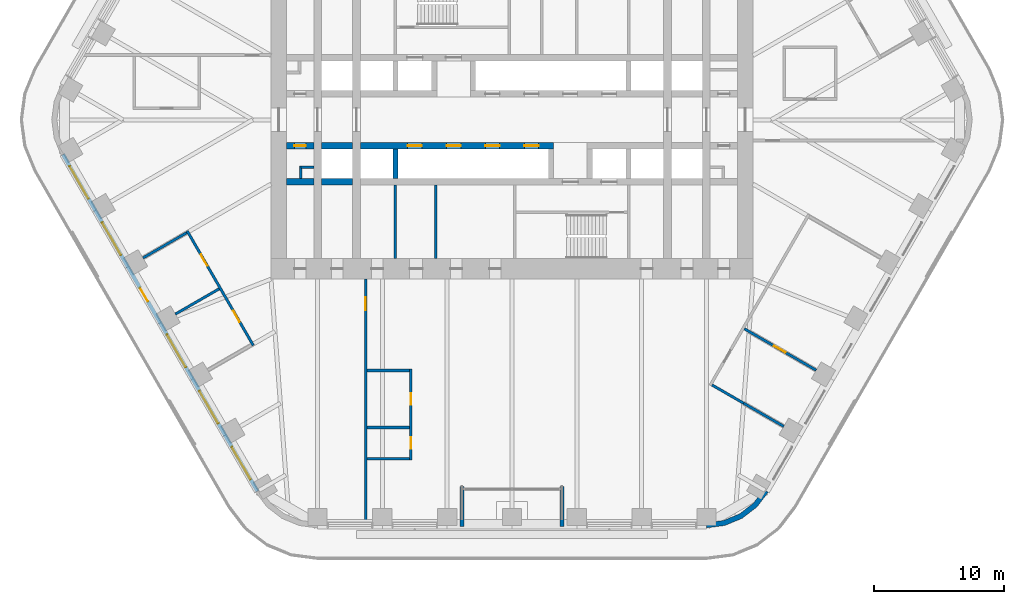
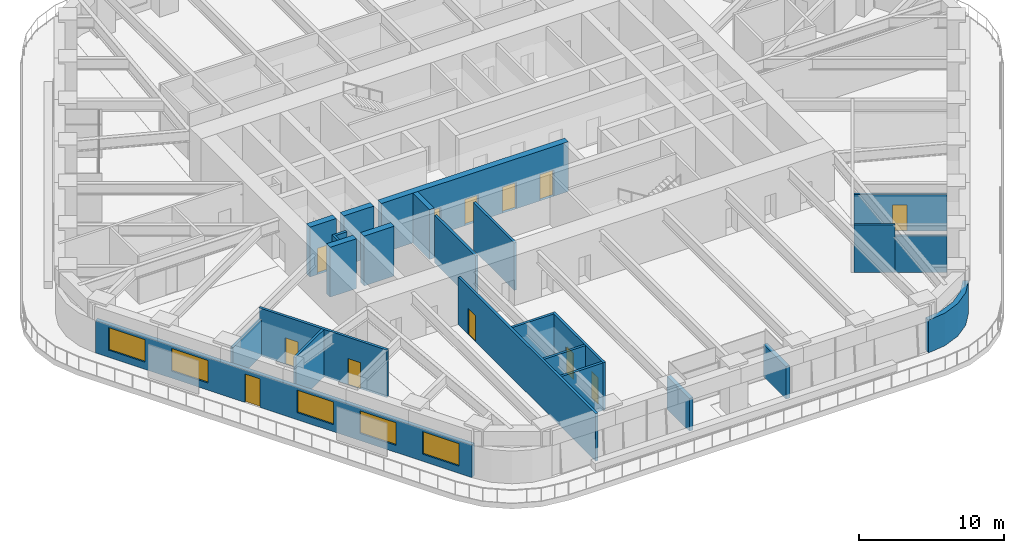
# One storey, part 17 of 24: 25 walls, 12 doors, 5 windows, 17 openings.
"""IFC4 building model written with IfcOpenShell, lengths in metres."""

from ifc_helpers import new_model, si_unit, direction, frame, frame_2d, origin, place, context, subcontext, project, spatial, polyline, rectangle, outline, extrude, material, layer, layer_set, type_object, element, fill, save


model = new_model("IFC4")

# Units and contexts
model_context = context("Model", 3, precision=1e-05, world=origin(), true_north=direction((0.0, 1.0)))
body_context = subcontext(model_context, "Body", "Model", "MODEL_VIEW")
ifc_project = project(units=[si_unit("LENGTHUNIT", "METRE"), si_unit("AREAUNIT", "SQUARE_METRE"), si_unit("VOLUMEUNIT", "CUBIC_METRE"), si_unit("PLANEANGLEUNIT", "RADIAN"), si_unit("MASSUNIT", "GRAM", prefix="KILO")], contexts=[model_context])

# Site, building, storey
site_placement = place(None, origin())
site = spatial("IfcSite", under=ifc_project, at=site_placement, CompositionType="ELEMENT")
building_placement = place(site_placement, origin())
building = spatial("IfcBuilding", under=site, at=building_placement, Name="Tarfa Lantern Tower", CompositionType="ELEMENT")
storey_placement = place(building_placement, frame((0.0, 0.0, 186.699951171875)))
storey = spatial("IfcBuildingStorey", under=building, at=storey_placement, Name="L42", CompositionType="ELEMENT", Elevation=186.699951171875)

# Wall, openings, door, windows
ifc_material_1 = material(Name="Limestone cladding on blockwork", Category="masonry")
ifc_layer_1 = layer(ifc_material_1, 0.300048828125)
ifc_layer_set_1 = layer_set([ifc_layer_1], Name="EW1 STONE-CLAD WALL 300")
wall_type_1 = type_object("IfcWallType", Name="EW1 STONE-CLAD WALL 300", PredefinedType="SOLIDWALL", material=ifc_layer_set_1)
wall_1_placement = place(storey_placement, frame((-34.655517578125, -2.675048828125, 0.0), z_axis=(0.0, 0.0, 1.0), x_axis=(0.500003084452, -0.866023622968, 0.0)))
wall_1 = element("IfcWall", 1, at=wall_1_placement, inside=storey, type_object=wall_type_1, Name="Stone wall SW", PredefinedType="SOLIDWALL", context=body_context, shape_type="SweptSolid", body=[
    extrude(rectangle(XDim=30.022216796875, YDim=0.300048828125, at=frame_2d((15.01123046875, 0.0))), origin(), (0.0, 0.0, 1.0), 2.75),
])
opening_1_placement = place(wall_1_placement, frame((1.0517578125, 0.0, 0.60009765625)))
opening_1 = element("IfcOpeningElement", 2, at=opening_1_placement, cuts=wall_1, Name="Opening W9", PredefinedType="OPENING", context=body_context, shape_type="SweptSolid", body=[
    extrude(rectangle(XDim=2.89990234375, YDim=1.89990234375, at=frame_2d((1.449951171875, 0.949951171875))), frame((0.0, 0.159912109375, 0.0), z_axis=(0.0, -1.0, 0.0), x_axis=(1.0, 0.0, 0.0)), (0.0, 0.0, 1.0), 0.320068359375),
])
opening_2_placement = place(wall_1_placement, frame((6.0556640625, 0.0, 0.60009765625)))
opening_2 = element("IfcOpeningElement", 3, at=opening_2_placement, cuts=wall_1, Name="Opening W9", PredefinedType="OPENING", context=body_context, shape_type="SweptSolid", body=[
    extrude(rectangle(XDim=2.89990234375, YDim=1.89990234375, at=frame_2d((1.449951171875, 0.949951171875))), frame((0.0, 0.159912109375, 0.0), z_axis=(0.0, -1.0, 0.0), x_axis=(1.0, 0.0, 0.0)), (0.0, 0.0, 1.0), 0.320068359375),
])
opening_3_placement = place(wall_1_placement, frame((11.9091796875, 0.0, 0.0)))
opening_3 = element("IfcOpeningElement", 4, at=opening_3_placement, cuts=wall_1, Name="Opening D52", PredefinedType="OPENING", context=body_context, shape_type="SweptSolid", body=[
    extrude(rectangle(XDim=1.199951171875, YDim=2.39990234375, at=frame_2d((0.60009765625, 1.199951171875))), frame((0.0, 0.159912109375, 0.0), z_axis=(0.0, -1.0, 0.0), x_axis=(1.0, 0.0, 0.0)), (0.0, 0.0, 1.0), 0.320068359375),
])
opening_4_placement = place(wall_1_placement, frame((16.06298828125, 0.0, 0.60009765625)))
opening_4 = element("IfcOpeningElement", 5, at=opening_4_placement, cuts=wall_1, Name="Opening W9", PredefinedType="OPENING", context=body_context, shape_type="SweptSolid", body=[
    extrude(rectangle(XDim=2.89990234375, YDim=1.89990234375, at=frame_2d((1.449951171875, 0.949951171875))), frame((0.0, 0.159912109375, 0.0), z_axis=(0.0, -1.0, 0.0), x_axis=(1.0, 0.0, 0.0)), (0.0, 0.0, 1.0), 0.320068359375),
])
opening_5_placement = place(wall_1_placement, frame((21.066650390625, 0.0, 0.60009765625)))
opening_5 = element("IfcOpeningElement", 6, at=opening_5_placement, cuts=wall_1, Name="Opening W9", PredefinedType="OPENING", context=body_context, shape_type="SweptSolid", body=[
    extrude(rectangle(XDim=2.89990234375, YDim=1.89990234375, at=frame_2d((1.449951171875, 0.949951171875))), frame((0.0, 0.159912109375, 0.0), z_axis=(0.0, -1.0, 0.0), x_axis=(1.0, 0.0, 0.0)), (0.0, 0.0, 1.0), 0.320068359375),
])
opening_6_placement = place(wall_1_placement, frame((26.0703125, 0.0, 0.60009765625)))
opening_6 = element("IfcOpeningElement", 7, at=opening_6_placement, cuts=wall_1, Name="Opening W9", PredefinedType="OPENING", context=body_context, shape_type="SweptSolid", body=[
    extrude(rectangle(XDim=2.89990234375, YDim=1.89990234375, at=frame_2d((1.449951171875, 0.949951171875))), frame((0.0, 0.159912109375, 0.0), z_axis=(0.0, -1.0, 0.0), x_axis=(1.0, 0.0, 0.0)), (0.0, 0.0, 1.0), 0.320068359375),
])
ifc_material_2 = material(Name="Aluminium framed glazed door", Category="aluminium")
door_type_1 = type_object("IfcDoorType", Name="BE3 BALCONY DOOR 1200x2400", OperationType="SINGLE_SWING_RIGHT", PredefinedType="DOOR", material=ifc_material_2)
door_1_placement = place(opening_3_placement, origin())
door_1 = element("IfcDoor", 8, at=door_1_placement, inside=storey, type_object=door_type_1, Name="Balcony door SW", OperationType="SINGLE_SWING_RIGHT", OverallHeight=2.39990234375, OverallWidth=1.199951171875, PredefinedType="DOOR", context=body_context, shape_type="SweptSolid", body=[
    extrude(rectangle(XDim=1.199951171875, YDim=2.39990234375, at=frame_2d((0.60009765625, 1.199951171875))), frame((0.0, 0.02490234375, 0.0), z_axis=(0.0, -1.0, 0.0), x_axis=(1.0, 0.0, 0.0)), (0.0, 0.0, 1.0), 0.050048828125),
])
fill(opening_3, door_1)
ifc_material_3 = material(Name="Aluminium frame, double glazed", Category="aluminium")
window_type = type_object("IfcWindowType", Name="W9 FULL-HEIGHT GLAZING 2900x1900", PartitioningType="SINGLE_PANEL", PredefinedType="WINDOW", material=ifc_material_3)
window_1_placement = place(opening_1_placement, origin())
window_1 = element("IfcWindow", 9, at=window_1_placement, inside=storey, type_object=window_type, Name="Window SW 1", OverallHeight=1.89990234375, OverallWidth=2.89990234375, PartitioningType="SINGLE_PANEL", PredefinedType="WINDOW", context=body_context, shape_type="SweptSolid", body=[
    extrude(rectangle(XDim=2.89990234375, YDim=1.89990234375, at=frame_2d((1.449951171875, 0.949951171875))), frame((0.0, 0.030029296875, 0.0), z_axis=(0.0, -1.0, 0.0), x_axis=(1.0, 0.0, 0.0)), (0.0, 0.0, 1.0), 0.06005859375),
])
fill(opening_1, window_1)
window_2_placement = place(opening_2_placement, origin())
window_2 = element("IfcWindow", 10, at=window_2_placement, inside=storey, type_object=window_type, Name="Window SW 2", OverallHeight=1.89990234375, OverallWidth=2.89990234375, PartitioningType="SINGLE_PANEL", PredefinedType="WINDOW", context=body_context, shape_type="SweptSolid", body=[
    extrude(rectangle(XDim=2.89990234375, YDim=1.89990234375, at=frame_2d((1.449951171875, 0.949951171875))), frame((0.0, 0.030029296875, 0.0), z_axis=(0.0, -1.0, 0.0), x_axis=(1.0, 0.0, 0.0)), (0.0, 0.0, 1.0), 0.06005859375),
])
fill(opening_2, window_2)
window_3_placement = place(opening_4_placement, origin())
window_3 = element("IfcWindow", 11, at=window_3_placement, inside=storey, type_object=window_type, Name="Window SW 4", OverallHeight=1.89990234375, OverallWidth=2.89990234375, PartitioningType="SINGLE_PANEL", PredefinedType="WINDOW", context=body_context, shape_type="SweptSolid", body=[
    extrude(rectangle(XDim=2.89990234375, YDim=1.89990234375, at=frame_2d((1.449951171875, 0.949951171875))), frame((0.0, 0.030029296875, 0.0), z_axis=(0.0, -1.0, 0.0), x_axis=(1.0, 0.0, 0.0)), (0.0, 0.0, 1.0), 0.06005859375),
])
fill(opening_4, window_3)
window_4_placement = place(opening_5_placement, origin())
window_4 = element("IfcWindow", 12, at=window_4_placement, inside=storey, type_object=window_type, Name="Window SW 5", OverallHeight=1.89990234375, OverallWidth=2.89990234375, PartitioningType="SINGLE_PANEL", PredefinedType="WINDOW", context=body_context, shape_type="SweptSolid", body=[
    extrude(rectangle(XDim=2.89990234375, YDim=1.89990234375, at=frame_2d((1.449951171875, 0.949951171875))), frame((0.0, 0.030029296875, 0.0), z_axis=(0.0, -1.0, 0.0), x_axis=(1.0, 0.0, 0.0)), (0.0, 0.0, 1.0), 0.06005859375),
])
fill(opening_5, window_4)
window_5_placement = place(opening_6_placement, origin())
window_5 = element("IfcWindow", 13, at=window_5_placement, inside=storey, type_object=window_type, Name="Window SW 6", OverallHeight=1.89990234375, OverallWidth=2.89990234375, PartitioningType="SINGLE_PANEL", PredefinedType="WINDOW", context=body_context, shape_type="SweptSolid", body=[
    extrude(rectangle(XDim=2.89990234375, YDim=1.89990234375, at=frame_2d((1.449951171875, 0.949951171875))), frame((0.0, 0.030029296875, 0.0), z_axis=(0.0, -1.0, 0.0), x_axis=(1.0, 0.0, 0.0)), (0.0, 0.0, 1.0), 0.06005859375),
])
fill(opening_6, window_5)

# Walls
for number, where, z_axis, x_axis, name in (
    (14, (-3.853759765625, -31.39990234375, 0.0), (0.0, 0.0, 1.0), (0.0, 1.0, 0.0), "Loggia return S 1"),
    (15, (3.853759765625, -31.39990234375, 0.0), (0.0, 0.0, 1.0), (0.0, 1.0, 0.0), "Loggia return S 2"),
):
    element("IfcWall", number, at=place(storey_placement, frame(where, z_axis=z_axis, x_axis=x_axis)), inside=storey, type_object=wall_type_1, Name=name, PredefinedType="SOLIDWALL", context=body_context, shape_type="SweptSolid", body=[
        extrude(rectangle(XDim=3.099853515625, YDim=0.300048828125, at=frame_2d((1.5498046875, 0.0))), origin(), (0.0, 0.0, 1.0), 2.75),
    ])
ifc_layer_2 = layer(ifc_material_1, 0.39990234375)
ifc_layer_set_2 = layer_set([ifc_layer_2], Name="EW2 CURVED STONE CORNER 400")
wall_type_2 = type_object("IfcWallType", Name="EW2 CURVED STONE CORNER 400", PredefinedType="SOLIDWALL", material=ifc_layer_set_2)
wall_2_placement = place(storey_placement, origin())
element("IfcWall", 16, at=wall_2_placement, inside=storey, type_object=wall_type_2, Name="Stone corner S-SE", PredefinedType="SOLIDWALL", context=body_context, shape_type="SweptSolid", body=[
    extrude(outline(polyline([(15.010986328125, -31.5), (16.4345703125, -31.3125), (17.760986328125, -30.76318359375), (18.900146484375, -29.88916015625), (19.774169921875, -28.75), (19.427734375, -28.550048828125), (18.617431640625, -29.606201171875), (17.56103515625, -30.416748046875), (16.3310546875, -30.92626953125), (15.010986328125, -31.10009765625), (15.010986328125, -31.5)])), origin(), (0.0, 0.0, 1.0), 2.75),
])
ifc_material_4 = material(Name="Concrete blockwork", Category="masonry")
ifc_layer_3 = layer(ifc_material_4, 0.199951171875)
ifc_layer_set_3 = layer_set([ifc_layer_3], Name="IW1 BLOCKWORK PARTITION 200 EI 120")
wall_type_3 = type_object("IfcWallType", Name="IW1 BLOCKWORK PARTITION 200 EI 120", PredefinedType="PARTITIONING", material=ifc_layer_set_3)
for number, where, z_axis, x_axis, name in (
    (17, (-9.0, -5.050048828125, 0.0), (0.0, 0.0, 1.0), (0.0, -1.0, 0.0), "Core partition"),
    (18, (-5.89990234375, -5.050048828125, 0.0), (0.0, 0.0, 1.0), (0.0, -1.0, 0.0), "Core partition"),
):
    element("IfcWall", number, at=place(storey_placement, frame(where, z_axis=z_axis, x_axis=x_axis)), inside=storey, type_object=wall_type_3, Name=name, PredefinedType="PARTITIONING", context=body_context, shape_type="SweptSolid", body=[
        extrude(rectangle(XDim=5.64990234375, YDim=0.199951171875, at=frame_2d((2.824951171875, 0.0))), origin(), (0.0, 0.0, 1.0), 4.0),
    ])
for number, where, z_axis, x_axis, name in (
    (19, (-15.300048828125, -3.64990234375, 0.0), (0.0, 0.0, 1.0), (-1.0, 0.0, 0.0), "Core partition"),
    (20, (-16.300048828125, -3.550048828125, 0.0), (0.0, 0.0, 1.0), (0.0, -1.0, 0.0), "Core partition"),
):
    element("IfcWall", number, at=place(storey_placement, frame(where, z_axis=z_axis, x_axis=x_axis)), inside=storey, type_object=wall_type_3, Name=name, PredefinedType="PARTITIONING", context=body_context, shape_type="SweptSolid", body=[
        extrude(rectangle(XDim=1.0, YDim=0.199951171875, at=frame_2d((0.5, 0.0))), origin(), (0.0, 0.0, 1.0), 4.0),
    ])
ifc_material_5 = material(Name="Gypsum board on steel studs", Category="steel")
ifc_layer_4 = layer(ifc_material_5, 0.2099609375)
ifc_layer_set_4 = layer_set([ifc_layer_4], Name="IW2 ACOUSTIC PARTITION 200")
wall_type_4 = type_object("IfcWallType", Name="IW2 ACOUSTIC PARTITION 200", PredefinedType="PARTITIONING", material=ifc_layer_set_4)
wall_3_placement = place(storey_placement, frame((15.4345703125, -20.466552734375, 0.0), z_axis=(0.0, 0.0, 1.0), x_axis=(0.866008320966, -0.500029587143, 0.0)))
element("IfcWall", 21, at=wall_3_placement, inside=storey, type_object=wall_type_4, Name="Partition", PredefinedType="PARTITIONING", context=body_context, shape_type="SweptSolid", body=[
    extrude(rectangle(XDim=2.821044921875, YDim=0.199951171875, at=frame_2d((1.41064453125, 0.0))), origin(), (0.0, 0.0, 1.0), 4.0),
])
wall_4_placement = place(storey_placement, frame((17.877685546875, -21.877197265625, 0.0), z_axis=(0.0, 0.0, 1.0), x_axis=(0.866009501729, -0.500027542156, 0.0)))
element("IfcWall", 22, at=wall_4_placement, inside=storey, type_object=wall_type_4, Name="Partition", PredefinedType="PARTITIONING", context=body_context, shape_type="SweptSolid", body=[
    extrude(rectangle(XDim=3.578857421875, YDim=0.199951171875, at=frame_2d((1.78955078125, 0.0))), origin(), (0.0, 0.0, 1.0), 3.08154296875),
])

# Wall, opening, door
wall_5_placement = place(storey_placement, frame((17.936279296875, -16.13330078125, 0.0), z_axis=(0.0, 0.0, 1.0), x_axis=(0.866035036182, -0.499983315828, 0.0)))
wall_5 = element("IfcWall", 23, at=wall_5_placement, inside=storey, type_object=wall_type_4, Name="Partition", PredefinedType="PARTITIONING", context=body_context, shape_type="SweptSolid", body=[
    extrude(rectangle(XDim=6.400146484375, YDim=0.199951171875, at=frame_2d((3.2001953125, 0.0))), origin(), (0.0, 0.0, 1.0), 3.08154296875),
])
opening_7_placement = place(wall_5_placement, frame((2.64990234375, 0.0, 0.0)))
opening_7 = element("IfcOpeningElement", 24, at=opening_7_placement, cuts=wall_5, Name="Opening D39", PredefinedType="OPENING", context=body_context, shape_type="SweptSolid", body=[
    extrude(rectangle(XDim=1.0, YDim=2.199951171875, at=frame_2d((0.5, 1.10009765625))), frame((0.0, 0.10986328125, 0.0), z_axis=(0.0, -1.0, 0.0), x_axis=(1.0, 0.0, 0.0)), (0.0, 0.0, 1.0), 0.219970703125),
])
ifc_material_6 = material(Name="Timber door", Category="wood")
door_type_2 = type_object("IfcDoorType", Name="DR1 ROOM DOOR 1000x2200", OperationType="SINGLE_SWING_LEFT", PredefinedType="DOOR", material=ifc_material_6)
door_2_placement = place(opening_7_placement, frame((1.0, 0.0, 0.0), z_axis=(0.0, 0.0, 1.0), x_axis=(-1.0, 0.0, 0.0)))
door_2 = element("IfcDoor", 25, at=door_2_placement, inside=storey, type_object=door_type_2, Name="Majlis door", OperationType="SINGLE_SWING_LEFT", OverallHeight=2.199951171875, OverallWidth=1.0, PredefinedType="DOOR", context=body_context, shape_type="SweptSolid", body=[
    extrude(rectangle(XDim=1.0, YDim=2.199951171875, at=frame_2d((0.5, 1.10009765625))), frame((0.0, 0.02490234375, 0.0), z_axis=(0.0, -1.0, 0.0), x_axis=(1.0, 0.0, 0.0)), (0.0, 0.0, 1.0), 0.050048828125),
])
fill(opening_7, door_2)

# Wall, openings, doors
wall_6_placement = place(storey_placement, frame((-25.068603515625, -8.580078125, 0.0), z_axis=(0.0, 0.0, 1.0), x_axis=(0.500005407604, -0.86602228168, 0.0)))
wall_6 = element("IfcWall", 26, at=wall_6_placement, inside=storey, type_object=wall_type_4, Name="Partition", PredefinedType="PARTITIONING", context=body_context, shape_type="SweptSolid", body=[
    extrude(rectangle(XDim=10.20751953125, YDim=0.199951171875, at=frame_2d((5.103759765625, 0.0))), origin(), (0.0, 0.0, 1.0), 4.0),
])
opening_8_placement = place(wall_6_placement, frame((2.101806640625, 0.0, 0.0)))
opening_8 = element("IfcOpeningElement", 27, at=opening_8_placement, cuts=wall_6, Name="Opening D40", PredefinedType="OPENING", context=body_context, shape_type="SweptSolid", body=[
    extrude(rectangle(XDim=1.0, YDim=2.199951171875, at=frame_2d((0.5, 1.10009765625))), frame((0.0, 0.10986328125, 0.0), z_axis=(0.0, -1.0, 0.0), x_axis=(1.0, 0.0, 0.0)), (0.0, 0.0, 1.0), 0.219970703125),
])
opening_9_placement = place(wall_6_placement, frame((7.10546875, 0.0, 0.0)))
opening_9 = element("IfcOpeningElement", 28, at=opening_9_placement, cuts=wall_6, Name="Opening D41", PredefinedType="OPENING", context=body_context, shape_type="SweptSolid", body=[
    extrude(rectangle(XDim=1.0, YDim=2.199951171875, at=frame_2d((0.5, 1.10009765625))), frame((0.0, 0.10986328125, 0.0), z_axis=(0.0, -1.0, 0.0), x_axis=(1.0, 0.0, 0.0)), (0.0, 0.0, 1.0), 0.219970703125),
])
door_3_placement = place(opening_8_placement, frame((1.0, 0.0, 0.0), z_axis=(0.0, 0.0, 1.0), x_axis=(-1.0, 0.0, 0.0)))
door_3 = element("IfcDoor", 29, at=door_3_placement, inside=storey, type_object=door_type_2, Name="Prayer room male door", OperationType="SINGLE_SWING_LEFT", OverallHeight=2.199951171875, OverallWidth=1.0, PredefinedType="DOOR", context=body_context, shape_type="SweptSolid", body=[
    extrude(rectangle(XDim=1.0, YDim=2.199951171875, at=frame_2d((0.5, 1.10009765625))), frame((0.0, 0.02490234375, 0.0), z_axis=(0.0, -1.0, 0.0), x_axis=(1.0, 0.0, 0.0)), (0.0, 0.0, 1.0), 0.050048828125),
])
fill(opening_8, door_3)
door_4_placement = place(opening_9_placement, frame((1.0, 0.0, 0.0), z_axis=(0.0, 0.0, 1.0), x_axis=(-1.0, 0.0, 0.0)))
door_4 = element("IfcDoor", 30, at=door_4_placement, inside=storey, type_object=door_type_2, Name="Ablution room door", OperationType="SINGLE_SWING_RIGHT", OverallHeight=2.199951171875, OverallWidth=1.0, PredefinedType="DOOR", context=body_context, shape_type="SweptSolid", body=[
    extrude(rectangle(XDim=1.0, YDim=2.199951171875, at=frame_2d((0.5, 1.10009765625))), frame((0.0, 0.02490234375, 0.0), z_axis=(0.0, -1.0, 0.0), x_axis=(1.0, 0.0, 0.0)), (0.0, 0.0, 1.0), 0.050048828125),
])
fill(opening_9, door_4)

# Walls
wall_7_placement = place(storey_placement, frame((-25.105224609375, -8.716552734375, 0.0), z_axis=(0.0, 0.0, 1.0), x_axis=(-0.866000020948, -0.500043961785, 0.0)))
element("IfcWall", 31, at=wall_7_placement, inside=storey, type_object=wall_type_4, Name="Partition", PredefinedType="PARTITIONING", context=body_context, shape_type="SweptSolid", body=[
    extrude(rectangle(XDim=3.900146484375, YDim=0.199951171875, at=frame_2d((1.9501953125, 0.0))), origin(), (0.0, 0.0, 1.0), 3.08154296875),
])
wall_8_placement = place(storey_placement, frame((-22.603271484375, -13.050048828125, 0.0), z_axis=(0.0, 0.0, 1.0), x_axis=(-0.866027128446, -0.499997012787, 0.0)))
element("IfcWall", 32, at=wall_8_placement, inside=storey, type_object=wall_type_4, Name="Partition", PredefinedType="PARTITIONING", context=body_context, shape_type="SweptSolid", body=[
    extrude(rectangle(XDim=3.89990234375, YDim=0.199951171875, at=frame_2d((1.949951171875, 0.0))), origin(), (0.0, 0.0, 1.0), 4.0),
])

# Wall, opening, door
wall_9_placement = place(storey_placement, frame((-11.300048828125, -12.300048828125, 0.0), z_axis=(0.0, 0.0, 1.0), x_axis=(0.0, -1.0, 0.0)))
wall_9 = element("IfcWall", 33, at=wall_9_placement, inside=storey, type_object=wall_type_4, Name="Partition", PredefinedType="PARTITIONING", context=body_context, shape_type="SweptSolid", body=[
    extrude(rectangle(XDim=19.0, YDim=0.199951171875, at=frame_2d((9.5, 0.0))), origin(), (0.0, 0.0, 1.0), 4.0),
])
opening_10_placement = place(wall_9_placement, frame((1.39990234375, 0.0, 0.0)))
opening_10 = element("IfcOpeningElement", 34, at=opening_10_placement, cuts=wall_9, Name="Opening D48", PredefinedType="OPENING", context=body_context, shape_type="SweptSolid", body=[
    extrude(rectangle(XDim=1.0, YDim=2.199951171875, at=frame_2d((0.5, 1.10009765625))), frame((0.0, 0.10986328125, 0.0), z_axis=(0.0, -1.0, 0.0), x_axis=(1.0, 0.0, 0.0)), (0.0, 0.0, 1.0), 0.219970703125),
])
door_5_placement = place(opening_10_placement, frame((1.0, 0.0, 0.0), z_axis=(0.0, 0.0, 1.0), x_axis=(-1.0, 0.0, 0.0)))
door_5 = element("IfcDoor", 35, at=door_5_placement, inside=storey, type_object=door_type_2, Name="Zone door", OperationType="SINGLE_SWING_LEFT", OverallHeight=2.199951171875, OverallWidth=1.0, PredefinedType="DOOR", context=body_context, shape_type="SweptSolid", body=[
    extrude(rectangle(XDim=1.0, YDim=2.199951171875, at=frame_2d((0.5, 1.10009765625))), frame((0.0, 0.02490234375, 0.0), z_axis=(0.0, -1.0, 0.0), x_axis=(1.0, 0.0, 0.0)), (0.0, 0.0, 1.0), 0.050048828125),
])
fill(opening_10, door_5)

# Wall, openings, doors
wall_10_placement = place(storey_placement, frame((-7.800048828125, -19.25, 0.0), z_axis=(0.0, 0.0, 1.0), x_axis=(0.0, -1.0, 0.0)))
wall_10 = element("IfcWall", 36, at=wall_10_placement, inside=storey, type_object=wall_type_4, Name="Partition", PredefinedType="PARTITIONING", context=body_context, shape_type="SweptSolid", body=[
    extrude(rectangle(XDim=7.0, YDim=0.199951171875, at=frame_2d((3.5, 0.0))), origin(), (0.0, 0.0, 1.0), 4.0),
])
opening_11_placement = place(wall_10_placement, frame((1.85009765625, 0.0, 0.0)))
opening_11 = element("IfcOpeningElement", 37, at=opening_11_placement, cuts=wall_10, Name="Opening D44", PredefinedType="OPENING", context=body_context, shape_type="SweptSolid", body=[
    extrude(rectangle(XDim=0.89990234375, YDim=2.199951171875, at=frame_2d((0.449951171875, 1.10009765625))), frame((0.0, 0.10986328125, 0.0), z_axis=(0.0, -1.0, 0.0), x_axis=(1.0, 0.0, 0.0)), (0.0, 0.0, 1.0), 0.219970703125),
])
opening_12_placement = place(wall_10_placement, frame((5.25, 0.0, 0.0)))
opening_12 = element("IfcOpeningElement", 38, at=opening_12_placement, cuts=wall_10, Name="Opening D45", PredefinedType="OPENING", context=body_context, shape_type="SweptSolid", body=[
    extrude(rectangle(XDim=0.89990234375, YDim=2.199951171875, at=frame_2d((0.449951171875, 1.10009765625))), frame((0.0, 0.10986328125, 0.0), z_axis=(0.0, -1.0, 0.0), x_axis=(1.0, 0.0, 0.0)), (0.0, 0.0, 1.0), 0.219970703125),
])
door_type_3 = type_object("IfcDoorType", Name="DR3 ROOM DOOR 900x2200", OperationType="SINGLE_SWING_LEFT", PredefinedType="DOOR", material=ifc_material_6)
door_6_placement = place(opening_11_placement, frame((0.89990234375, 0.0, 0.0), z_axis=(0.0, 0.0, 1.0), x_axis=(-1.0, 0.0, 0.0)))
door_6 = element("IfcDoor", 39, at=door_6_placement, inside=storey, type_object=door_type_3, Name="Project room door", OperationType="SINGLE_SWING_LEFT", OverallHeight=2.199951171875, OverallWidth=0.89990234375, PredefinedType="DOOR", context=body_context, shape_type="SweptSolid", body=[
    extrude(rectangle(XDim=0.89990234375, YDim=2.199951171875, at=frame_2d((0.449951171875, 1.10009765625))), frame((0.0, 0.02490234375, 0.0), z_axis=(0.0, -1.0, 0.0), x_axis=(1.0, 0.0, 0.0)), (0.0, 0.0, 1.0), 0.050048828125),
])
fill(opening_11, door_6)
door_7_placement = place(opening_12_placement, frame((0.89990234375, 0.0, 0.0), z_axis=(0.0, 0.0, 1.0), x_axis=(-1.0, 0.0, 0.0)))
door_7 = element("IfcDoor", 40, at=door_7_placement, inside=storey, type_object=door_type_3, Name="Print and copy room door", OperationType="SINGLE_SWING_RIGHT", OverallHeight=2.199951171875, OverallWidth=0.89990234375, PredefinedType="DOOR", context=body_context, shape_type="SweptSolid", body=[
    extrude(rectangle(XDim=0.89990234375, YDim=2.199951171875, at=frame_2d((0.449951171875, 1.10009765625))), frame((0.0, 0.02490234375, 0.0), z_axis=(0.0, -1.0, 0.0), x_axis=(1.0, 0.0, 0.0)), (0.0, 0.0, 1.0), 0.050048828125),
])
fill(opening_12, door_7)

# Walls
for number, where, z_axis, x_axis, name in (
    (41, (-11.199951171875, -19.35009765625, 0.0), (0.0, 0.0, 1.0), (1.0, 0.0, 0.0), "Partition"),
    (42, (-11.199951171875, -23.75, 0.0), (0.0, 0.0, 1.0), (1.0, 0.0, 0.0), "Partition"),
    (43, (-11.199951171875, -26.14990234375, 0.0), (0.0, 0.0, 1.0), (1.0, 0.0, 0.0), "Partition"),
):
    element("IfcWall", number, at=place(storey_placement, frame(where, z_axis=z_axis, x_axis=x_axis)), inside=storey, type_object=wall_type_4, Name=name, PredefinedType="PARTITIONING", context=body_context, shape_type="SweptSolid", body=[
        extrude(rectangle(XDim=3.300048828125, YDim=0.199951171875, at=frame_2d((1.64990234375, 0.0))), origin(), (0.0, 0.0, 1.0), 4.0),
    ])

# Wall, openings, doors
ifc_material_7 = material(Name="Concrete C80/95", Category="concrete")
ifc_layer_5 = layer(ifc_material_7, 0.5)
ifc_layer_set_5 = layer_set([ifc_layer_5], Name="SW5 CORE WALL 500")
wall_type_5 = type_object("IfcWallType", Name="SW5 CORE WALL 500", PredefinedType="SHEAR", material=ifc_layer_set_5)
wall_11_placement = place(storey_placement, frame((3.199951171875, -2.0, 0.0), z_axis=(0.0, 0.0, 1.0), x_axis=(-1.0, 0.0, 0.0)))
wall_11 = element("IfcWall", 44, at=wall_11_placement, inside=storey, type_object=wall_type_5, Name="Core wall lobby east S", PredefinedType="SHEAR", context=body_context, shape_type="SweptSolid", body=[
    extrude(rectangle(XDim=14.89990234375, YDim=0.5, at=frame_2d((7.449951171875, 0.0))), origin(), (0.0, 0.0, 1.0), 4.199951171875),
])
opening_13_placement = place(wall_11_placement, frame((1.14990234375, 0.0, 0.0)))
opening_13 = element("IfcOpeningElement", 45, at=opening_13_placement, cuts=wall_11, Name="Opening LD07", PredefinedType="OPENING", context=body_context, shape_type="SweptSolid", body=[
    extrude(rectangle(XDim=1.10009765625, YDim=2.199951171875, at=frame_2d((0.550048828125, 1.10009765625))), frame((0.0, 0.260009765625, 0.0), z_axis=(0.0, -1.0, 0.0), x_axis=(1.0, 0.0, 0.0)), (0.0, 0.0, 1.0), 0.52001953125),
])
opening_14_placement = place(wall_11_placement, frame((4.14990234375, 0.0, 0.0)))
opening_14 = element("IfcOpeningElement", 46, at=opening_14_placement, cuts=wall_11, Name="Opening LD08", PredefinedType="OPENING", context=body_context, shape_type="SweptSolid", body=[
    extrude(rectangle(XDim=1.10009765625, YDim=2.199951171875, at=frame_2d((0.550048828125, 1.10009765625))), frame((0.0, 0.260009765625, 0.0), z_axis=(0.0, -1.0, 0.0), x_axis=(1.0, 0.0, 0.0)), (0.0, 0.0, 1.0), 0.52001953125),
])
opening_15_placement = place(wall_11_placement, frame((7.14990234375, 0.0, 0.0)))
opening_15 = element("IfcOpeningElement", 47, at=opening_15_placement, cuts=wall_11, Name="Opening LD09", PredefinedType="OPENING", context=body_context, shape_type="SweptSolid", body=[
    extrude(rectangle(XDim=1.10009765625, YDim=2.199951171875, at=frame_2d((0.550048828125, 1.10009765625))), frame((0.0, 0.260009765625, 0.0), z_axis=(0.0, -1.0, 0.0), x_axis=(1.0, 0.0, 0.0)), (0.0, 0.0, 1.0), 0.52001953125),
])
opening_16_placement = place(wall_11_placement, frame((10.14990234375, 0.0, 0.0)))
opening_16 = element("IfcOpeningElement", 48, at=opening_16_placement, cuts=wall_11, Name="Opening LD10", PredefinedType="OPENING", context=body_context, shape_type="SweptSolid", body=[
    extrude(rectangle(XDim=1.10009765625, YDim=2.199951171875, at=frame_2d((0.550048828125, 1.10009765625))), frame((0.0, 0.260009765625, 0.0), z_axis=(0.0, -1.0, 0.0), x_axis=(1.0, 0.0, 0.0)), (0.0, 0.0, 1.0), 0.52001953125),
])
ifc_material_8 = material(Name="Stainless steel lift door", Category="steel")
door_type_4 = type_object("IfcDoorType", Name="LD2 LIFT LANDING DOOR 1100x2200", OperationType="SLIDING_TO_LEFT", PredefinedType="DOOR", material=ifc_material_8)
door_8_placement = place(opening_13_placement, frame((1.10009765625, 0.0, 0.0), z_axis=(0.0, 0.0, 1.0), x_axis=(-1.0, 0.0, 0.0)))
door_8 = element("IfcDoor", 49, at=door_8_placement, inside=storey, type_object=door_type_4, Name="Landing door PB5", OperationType="SLIDING_TO_LEFT", OverallHeight=2.199951171875, OverallWidth=1.10009765625, PredefinedType="DOOR", context=body_context, shape_type="SweptSolid", body=[
    extrude(rectangle(XDim=1.10009765625, YDim=2.199951171875, at=frame_2d((0.550048828125, 1.10009765625))), frame((0.0, 0.02490234375, 0.0), z_axis=(0.0, -1.0, 0.0), x_axis=(1.0, 0.0, 0.0)), (0.0, 0.0, 1.0), 0.050048828125),
])
fill(opening_13, door_8)
door_9_placement = place(opening_14_placement, frame((1.10009765625, 0.0, 0.0), z_axis=(0.0, 0.0, 1.0), x_axis=(-1.0, 0.0, 0.0)))
door_9 = element("IfcDoor", 50, at=door_9_placement, inside=storey, type_object=door_type_4, Name="Landing door PB6", OperationType="SLIDING_TO_LEFT", OverallHeight=2.199951171875, OverallWidth=1.10009765625, PredefinedType="DOOR", context=body_context, shape_type="SweptSolid", body=[
    extrude(rectangle(XDim=1.10009765625, YDim=2.199951171875, at=frame_2d((0.550048828125, 1.10009765625))), frame((0.0, 0.02490234375, 0.0), z_axis=(0.0, -1.0, 0.0), x_axis=(1.0, 0.0, 0.0)), (0.0, 0.0, 1.0), 0.050048828125),
])
fill(opening_14, door_9)
door_10_placement = place(opening_15_placement, frame((1.10009765625, 0.0, 0.0), z_axis=(0.0, 0.0, 1.0), x_axis=(-1.0, 0.0, 0.0)))
door_10 = element("IfcDoor", 51, at=door_10_placement, inside=storey, type_object=door_type_4, Name="Landing door PB7", OperationType="SLIDING_TO_LEFT", OverallHeight=2.199951171875, OverallWidth=1.10009765625, PredefinedType="DOOR", context=body_context, shape_type="SweptSolid", body=[
    extrude(rectangle(XDim=1.10009765625, YDim=2.199951171875, at=frame_2d((0.550048828125, 1.10009765625))), frame((0.0, 0.02490234375, 0.0), z_axis=(0.0, -1.0, 0.0), x_axis=(1.0, 0.0, 0.0)), (0.0, 0.0, 1.0), 0.050048828125),
])
fill(opening_15, door_10)
door_11_placement = place(opening_16_placement, frame((1.10009765625, 0.0, 0.0), z_axis=(0.0, 0.0, 1.0), x_axis=(-1.0, 0.0, 0.0)))
door_11 = element("IfcDoor", 52, at=door_11_placement, inside=storey, type_object=door_type_4, Name="Landing door PB8", OperationType="SLIDING_TO_LEFT", OverallHeight=2.199951171875, OverallWidth=1.10009765625, PredefinedType="DOOR", context=body_context, shape_type="SweptSolid", body=[
    extrude(rectangle(XDim=1.10009765625, YDim=2.199951171875, at=frame_2d((0.550048828125, 1.10009765625))), frame((0.0, 0.02490234375, 0.0), z_axis=(0.0, -1.0, 0.0), x_axis=(1.0, 0.0, 0.0)), (0.0, 0.0, 1.0), 0.050048828125),
])
fill(opening_16, door_11)

# Wall
wall_12_placement = place(storey_placement, frame((-12.300048828125, -2.0, 0.0), z_axis=(0.0, 0.0, 1.0), x_axis=(-1.0, 0.0, 0.0)))
element("IfcWall", 53, at=wall_12_placement, inside=storey, type_object=wall_type_5, Name="Core wall lobby east S", PredefinedType="SHEAR", context=body_context, shape_type="SweptSolid", body=[
    extrude(rectangle(XDim=2.39990234375, YDim=0.5, at=frame_2d((1.199951171875, 0.0))), origin(), (0.0, 0.0, 1.0), 4.199951171875),
])

# Wall, opening, door
wall_13_placement = place(storey_placement, frame((-15.300048828125, -2.0, 0.0), z_axis=(0.0, 0.0, 1.0), x_axis=(-1.0, 0.0, 0.0)))
wall_13 = element("IfcWall", 54, at=wall_13_placement, inside=storey, type_object=wall_type_5, Name="Core wall lobby east S", PredefinedType="SHEAR", context=body_context, shape_type="SweptSolid", body=[
    extrude(rectangle(XDim=2.099853515625, YDim=0.5, at=frame_2d((1.0498046875, 0.0))), origin(), (0.0, 0.0, 1.0), 4.199951171875),
])
opening_17_placement = place(wall_13_placement, frame((0.60009765625, 0.0, 0.0)))
opening_17 = element("IfcOpeningElement", 55, at=opening_17_placement, cuts=wall_13, Name="Opening D18", PredefinedType="OPENING", context=body_context, shape_type="SweptSolid", body=[
    extrude(rectangle(XDim=0.89990234375, YDim=2.199951171875, at=frame_2d((0.449951171875, 1.10009765625))), frame((0.0, 0.260009765625, 0.0), z_axis=(0.0, -1.0, 0.0), x_axis=(1.0, 0.0, 0.0)), (0.0, 0.0, 1.0), 0.52001953125),
])
ifc_material_9 = material(Name="Steel fire door", Category="steel")
door_type_5 = type_object("IfcDoorType", Name="DF6 SERVICE ROOM DOOR 900x2200", OperationType="SINGLE_SWING_LEFT", PredefinedType="DOOR", material=ifc_material_9)
door_12_placement = place(opening_17_placement, origin())
door_12 = element("IfcDoor", 56, at=door_12_placement, inside=storey, type_object=door_type_5, Name="Service room door", OperationType="SINGLE_SWING_LEFT", OverallHeight=2.199951171875, OverallWidth=0.89990234375, PredefinedType="DOOR", context=body_context, shape_type="SweptSolid", body=[
    extrude(rectangle(XDim=0.89990234375, YDim=2.199951171875, at=frame_2d((0.449951171875, 1.10009765625))), frame((0.0, 0.02490234375, 0.0), z_axis=(0.0, -1.0, 0.0), x_axis=(1.0, 0.0, 0.0)), (0.0, 0.0, 1.0), 0.050048828125),
])
fill(opening_17, door_12)

# Walls
wall_14_placement = place(storey_placement, frame((-12.300048828125, -4.800048828125, 0.0), z_axis=(0.0, 0.0, 1.0), x_axis=(-1.0, 0.0, 0.0)))
element("IfcWall", 57, at=wall_14_placement, inside=storey, type_object=wall_type_5, Name="Core wall rear S", PredefinedType="SHEAR", context=body_context, shape_type="SweptSolid", body=[
    extrude(rectangle(XDim=2.39990234375, YDim=0.5, at=frame_2d((1.199951171875, 0.0))), origin(), (0.0, 0.0, 1.0), 4.199951171875),
])
wall_15_placement = place(storey_placement, frame((-15.300048828125, -4.800048828125, 0.0), z_axis=(0.0, 0.0, 1.0), x_axis=(-1.0, 0.0, 0.0)))
element("IfcWall", 58, at=wall_15_placement, inside=storey, type_object=wall_type_5, Name="Core wall rear S", PredefinedType="SHEAR", context=body_context, shape_type="SweptSolid", body=[
    extrude(rectangle(XDim=2.099853515625, YDim=0.5, at=frame_2d((1.0498046875, 0.0))), origin(), (0.0, 0.0, 1.0), 4.199951171875),
])
ifc_layer_6 = layer(ifc_material_7, 0.39990234375)
ifc_layer_set_6 = layer_set([ifc_layer_6], Name="SW6 CORE WALL 400")
wall_type_6 = type_object("IfcWallType", Name="SW6 CORE WALL 400", PredefinedType="SHEAR", material=ifc_layer_set_6)
wall_16_placement = place(storey_placement, frame((-9.0, -2.25, 0.0), z_axis=(0.0, 0.0, 1.0), x_axis=(0.0, -1.0, 0.0)))
element("IfcWall", 59, at=wall_16_placement, inside=storey, type_object=wall_type_6, Name="Core wall divider S", PredefinedType="SHEAR", context=body_context, shape_type="SweptSolid", body=[
    extrude(rectangle(XDim=2.300048828125, YDim=0.39990234375, at=frame_2d((1.14990234375, 0.0))), origin(), (0.0, 0.0, 1.0), 4.199951171875),
])

save(model, "model.ifc")
